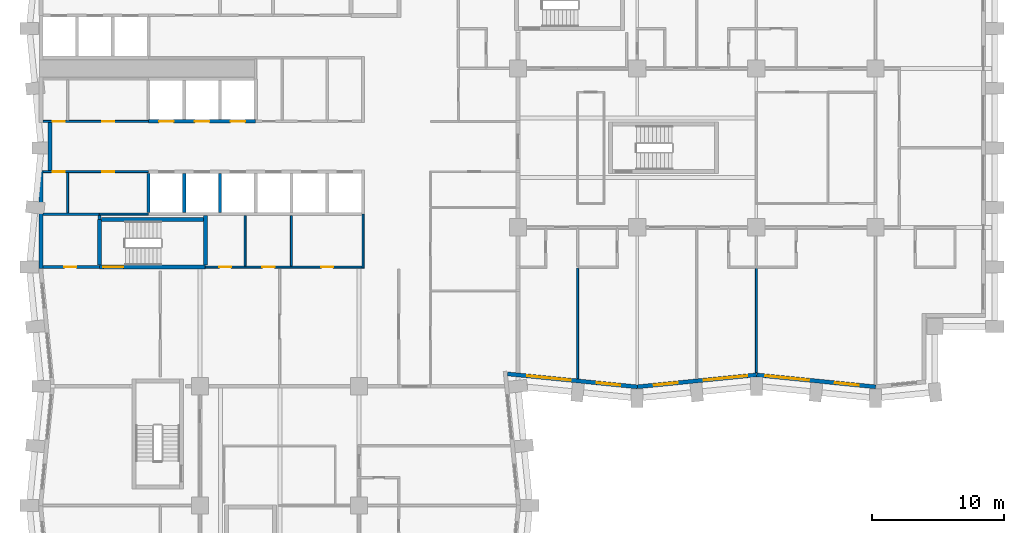
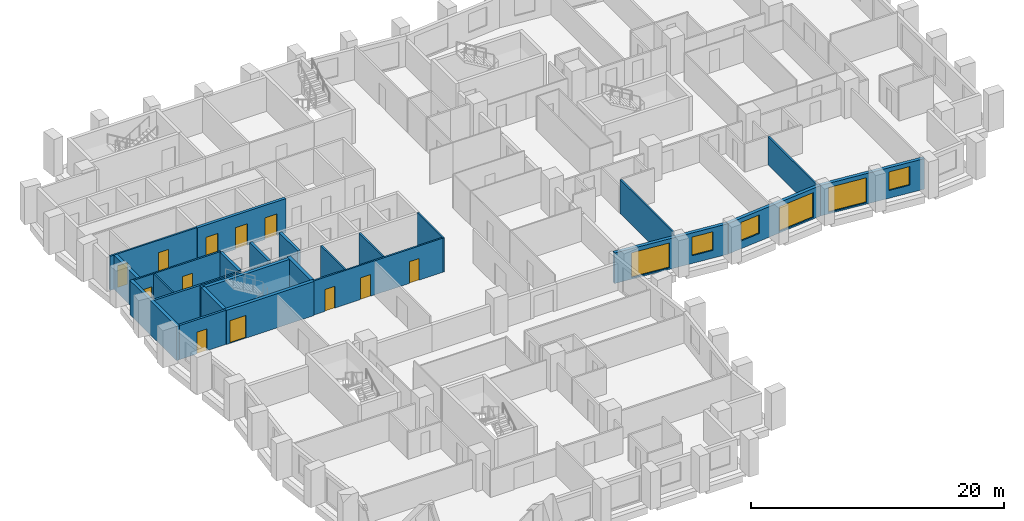
# One storey, part 5 of 12: 26 walls, 12 doors, 6 windows, 18 openings.
"""IFC4 building model written with IfcOpenShell, lengths in metres."""

from ifc_helpers import new_model, si_unit, direction, frame, frame_2d, origin, place, context, subcontext, project, spatial, rectangle, extrude, material, layer, layer_set, type_object, element, fill, save


model = new_model("IFC4")

# Units and contexts
model_context = context("Model", 3, precision=1e-05, world=origin(), true_north=direction((0.0, 1.0)))
body_context = subcontext(model_context, "Body", "Model", "MODEL_VIEW")
ifc_project = project(units=[si_unit("LENGTHUNIT", "METRE"), si_unit("AREAUNIT", "SQUARE_METRE"), si_unit("VOLUMEUNIT", "CUBIC_METRE"), si_unit("PLANEANGLEUNIT", "RADIAN"), si_unit("MASSUNIT", "GRAM", prefix="KILO")], contexts=[model_context])

# Site, building, storey
site_placement = place(None, origin())
site = spatial("IfcSite", under=ifc_project, at=site_placement, CompositionType="ELEMENT")
building_placement = place(site_placement, origin())
building = spatial("IfcBuilding", under=site, at=building_placement, Name="Brondeck Convention Tower", CompositionType="ELEMENT")
storey_placement = place(building_placement, frame((0.0, 0.0, 55.5)))
storey = spatial("IfcBuildingStorey", under=building, at=storey_placement, Name="L11", CompositionType="ELEMENT", Elevation=55.5)

# Wall, openings, doors
ifc_material_1 = material(Name="Concrete C80/95", Category="concrete")
ifc_layer_1 = layer(ifc_material_1, 0.14990234375)
ifc_layer_set_1 = layer_set([ifc_layer_1], Name="Core beam-seat wall 150 Concrete C80/95")
wall_type_1 = type_object("IfcWallType", Name="Core beam-seat wall 150 Concrete C80/95", PredefinedType="SHEAR", material=ifc_layer_set_1)
wall_1_placement = place(storey_placement, frame((12.39990234375, 36.0, 0.0), z_axis=(0.0, 0.0, 1.0), x_axis=(1.0, 0.0, 0.0)))
wall_1 = element("IfcWall", 1, at=wall_1_placement, inside=storey, type_object=wall_type_1, Name="L11 core wall", PredefinedType="SHEAR", context=body_context, shape_type="SweptSolid", body=[
    extrude(rectangle(XDim=11.8251953125, YDim=0.14990234375, at=frame_2d((5.91259765625, 0.0))), origin(), (0.0, 0.0, 1.0), 3.300048828125),
])
opening_1_placement = place(wall_1_placement, frame((1.050048828125, 0.0, 0.0)))
opening_1 = element("IfcOpeningElement", 2, at=opening_1_placement, cuts=wall_1, Name="Opening C09-03", PredefinedType="OPENING", context=body_context, shape_type="SweptSolid", body=[
    extrude(rectangle(XDim=0.89990234375, YDim=2.10009765625, at=frame_2d((0.449951171875, 1.050048828125))), frame((0.0, 0.0849609375, 0.0), z_axis=(0.0, -1.0, 0.0), x_axis=(1.0, 0.0, 0.0)), (0.0, 0.0, 1.0), 0.169921875),
])
opening_2_placement = place(wall_1_placement, frame((4.27490234375, 0.0, 0.0)))
opening_2 = element("IfcOpeningElement", 3, at=opening_2_placement, cuts=wall_1, Name="Opening C09-04", PredefinedType="OPENING", context=body_context, shape_type="SweptSolid", body=[
    extrude(rectangle(XDim=0.949951171875, YDim=2.10009765625, at=frame_2d((0.47509765625, 1.050048828125))), frame((0.0, 0.0849609375, 0.0), z_axis=(0.0, -1.0, 0.0), x_axis=(1.0, 0.0, 0.0)), (0.0, 0.0, 1.0), 0.169921875),
])
opening_3_placement = place(wall_1_placement, frame((8.75, 0.0, 0.0)))
opening_3 = element("IfcOpeningElement", 4, at=opening_3_placement, cuts=wall_1, Name="Opening C09-05", PredefinedType="OPENING", context=body_context, shape_type="SweptSolid", body=[
    extrude(rectangle(XDim=0.89990234375, YDim=2.10009765625, at=frame_2d((0.449951171875, 1.050048828125))), frame((0.0, 0.0849609375, 0.0), z_axis=(0.0, -1.0, 0.0), x_axis=(1.0, 0.0, 0.0)), (0.0, 0.0, 1.0), 0.169921875),
])
ifc_material_2 = material(Name="Steel fire door", Category="steel")
door_type_1 = type_object("IfcDoorType", Name="Room door 900x2100 EI 60", OperationType="NOTDEFINED", PredefinedType="DOOR", material=ifc_material_2)
door_1_placement = place(opening_1_placement, origin())
door_1 = element("IfcDoor", 5, at=door_1_placement, inside=storey, type_object=door_type_1, Name="L11 Room door FR-1", OperationType="SINGLE_SWING_RIGHT", OverallHeight=2.10009765625, OverallWidth=0.89990234375, PredefinedType="DOOR", context=body_context, shape_type="SweptSolid", body=[
    extrude(rectangle(XDim=0.89990234375, YDim=2.10009765625, at=frame_2d((0.449951171875, 1.050048828125))), frame((0.0, 0.02490234375, 0.0), z_axis=(0.0, -1.0, 0.0), x_axis=(1.0, 0.0, 0.0)), (0.0, 0.0, 1.0), 0.050048828125),
])
fill(opening_1, door_1)
door_2_placement = place(opening_3_placement, origin())
door_2 = element("IfcDoor", 6, at=door_2_placement, inside=storey, type_object=door_type_1, Name="L11 Room door FR-3", OperationType="SINGLE_SWING_RIGHT", OverallHeight=2.10009765625, OverallWidth=0.89990234375, PredefinedType="DOOR", context=body_context, shape_type="SweptSolid", body=[
    extrude(rectangle(XDim=0.89990234375, YDim=2.10009765625, at=frame_2d((0.449951171875, 1.050048828125))), frame((0.0, 0.02490234375, 0.0), z_axis=(0.0, -1.0, 0.0), x_axis=(1.0, 0.0, 0.0)), (0.0, 0.0, 1.0), 0.050048828125),
])
fill(opening_3, door_2)
door_type_2 = type_object("IfcDoorType", Name="Room door 950x2100 EI 60", OperationType="NOTDEFINED", PredefinedType="DOOR", material=ifc_material_2)
door_3_placement = place(opening_2_placement, origin())
door_3 = element("IfcDoor", 7, at=door_3_placement, inside=storey, type_object=door_type_2, Name="L11 Room door FR-2", OperationType="SINGLE_SWING_LEFT", OverallHeight=2.10009765625, OverallWidth=0.949951171875, PredefinedType="DOOR", context=body_context, shape_type="SweptSolid", body=[
    extrude(rectangle(XDim=0.949951171875, YDim=2.10009765625, at=frame_2d((0.47509765625, 1.050048828125))), frame((0.0, 0.02490234375, 0.0), z_axis=(0.0, -1.0, 0.0), x_axis=(1.0, 0.0, 0.0)), (0.0, 0.0, 1.0), 0.050048828125),
])
fill(opening_2, door_3)

# Walls
wall_2_placement = place(storey_placement, frame((24.300048828125, 35.925048828125, 0.0), z_axis=(0.0, 0.0, 1.0), x_axis=(0.0, 1.0, 0.0)))
element("IfcWall", 8, at=wall_2_placement, inside=storey, type_object=wall_type_1, Name="L11 core wall", PredefinedType="SHEAR", context=body_context, shape_type="SweptSolid", body=[
    extrude(rectangle(XDim=4.074951171875, YDim=0.14990234375, at=frame_2d((2.03759765625, 0.0))), origin(), (0.0, 0.0, 1.0), 3.300048828125),
])
ifc_layer_2 = layer(ifc_material_1, 0.300048828125)
ifc_layer_set_2 = layer_set([ifc_layer_2], Name="Core outer wall 300 Concrete C80/95")
wall_type_2 = type_object("IfcWallType", Name="Core outer wall 300 Concrete C80/95", PredefinedType="SHEAR", material=ifc_layer_set_2)
wall_3_placement = place(storey_placement, frame((0.0, 35.89990234375, 0.0), z_axis=(0.0, 0.0, 1.0), x_axis=(0.0, 1.0, 0.0)))
element("IfcWall", 9, at=wall_3_placement, inside=storey, type_object=wall_type_2, Name="L11 core wall", PredefinedType="SHEAR", context=body_context, shape_type="SweptSolid", body=[
    extrude(rectangle(XDim=7.375, YDim=0.300048828125, at=frame_2d((3.6875, 0.0))), origin(), (0.0, 0.0, 1.0), 3.300048828125),
])
wall_4_placement = place(storey_placement, frame((0.64990234375, 43.27490234375, 0.0), z_axis=(0.0, 0.0, 1.0), x_axis=(0.0, 1.0, 0.0)))
element("IfcWall", 10, at=wall_4_placement, inside=storey, type_object=wall_type_2, Name="L11 core wall", PredefinedType="SHEAR", context=body_context, shape_type="SweptSolid", body=[
    extrude(rectangle(XDim=3.650146484375, YDim=0.300048828125, at=frame_2d((1.8251953125, 0.0))), origin(), (0.0, 0.0, 1.0), 3.300048828125),
])
ifc_material_3 = material(Name="Fire-rated gypsum board partition")
ifc_layer_3 = layer(ifc_material_3, 0.14990234375)
ifc_layer_set_3 = layer_set([ifc_layer_3], Name="Core partition 150 EI 60")
wall_type_3 = type_object("IfcWallType", Name="Core partition 150 EI 60", PredefinedType="PARTITIONING", material=ifc_layer_set_3)
wall_5_placement = place(storey_placement, frame((4.39990234375, 40.0, 0.0), z_axis=(0.0, 0.0, 1.0), x_axis=(1.0, 0.0, 0.0)))
element("IfcWall", 11, at=wall_5_placement, inside=storey, type_object=wall_type_3, Name="L11 core wall", PredefinedType="PARTITIONING", context=body_context, shape_type="SweptSolid", body=[
    extrude(rectangle(XDim=3.7001953125, YDim=0.14990234375, at=frame_2d((1.85009765625, 0.0))), origin(), (0.0, 0.0, 1.0), 3.300048828125),
])

# Wall, openings, doors
wall_6_placement = place(storey_placement, frame((0.14990234375, 43.199951171875, 0.0), z_axis=(0.0, 0.0, 1.0), x_axis=(1.0, 0.0, 0.0)))
wall_6 = element("IfcWall", 12, at=wall_6_placement, inside=storey, type_object=wall_type_3, Name="L11 core wall", PredefinedType="PARTITIONING", context=body_context, shape_type="SweptSolid", body=[
    extrude(rectangle(XDim=7.9501953125, YDim=0.14990234375, at=frame_2d((3.97509765625, 0.0))), origin(), (0.0, 0.0, 1.0), 3.300048828125),
])
opening_4_placement = place(wall_6_placement, frame((0.72509765625, 0.0, 0.0)))
opening_4 = element("IfcOpeningElement", 13, at=opening_4_placement, cuts=wall_6, Name="Opening C09-11", PredefinedType="OPENING", context=body_context, shape_type="SweptSolid", body=[
    extrude(rectangle(XDim=0.89990234375, YDim=2.10009765625, at=frame_2d((0.449951171875, 1.050048828125))), frame((0.0, 0.0849609375, 0.0), z_axis=(0.0, -1.0, 0.0), x_axis=(1.0, 0.0, 0.0)), (0.0, 0.0, 1.0), 0.169921875),
])
opening_5_placement = place(wall_6_placement, frame((4.449951171875, 0.0, 0.0)))
opening_5 = element("IfcOpeningElement", 14, at=opening_5_placement, cuts=wall_6, Name="Opening C09-12", PredefinedType="OPENING", context=body_context, shape_type="SweptSolid", body=[
    extrude(rectangle(XDim=0.89990234375, YDim=2.10009765625, at=frame_2d((0.449951171875, 1.050048828125))), frame((0.0, 0.0849609375, 0.0), z_axis=(0.0, -1.0, 0.0), x_axis=(1.0, 0.0, 0.0)), (0.0, 0.0, 1.0), 0.169921875),
])
door_4_placement = place(opening_4_placement, origin())
door_4 = element("IfcDoor", 15, at=door_4_placement, inside=storey, type_object=door_type_1, Name="L11 Room door FZ-S-0-1", OperationType="SINGLE_SWING_LEFT", OverallHeight=2.10009765625, OverallWidth=0.89990234375, PredefinedType="DOOR", context=body_context, shape_type="SweptSolid", body=[
    extrude(rectangle(XDim=0.89990234375, YDim=2.10009765625, at=frame_2d((0.449951171875, 1.050048828125))), frame((0.0, 0.02490234375, 0.0), z_axis=(0.0, -1.0, 0.0), x_axis=(1.0, 0.0, 0.0)), (0.0, 0.0, 1.0), 0.050048828125),
])
fill(opening_4, door_4)
door_5_placement = place(opening_5_placement, origin())
door_5 = element("IfcDoor", 16, at=door_5_placement, inside=storey, type_object=door_type_1, Name="L11 Room door FZ-S-0-2", OperationType="SINGLE_SWING_RIGHT", OverallHeight=2.10009765625, OverallWidth=0.89990234375, PredefinedType="DOOR", context=body_context, shape_type="SweptSolid", body=[
    extrude(rectangle(XDim=0.89990234375, YDim=2.10009765625, at=frame_2d((0.449951171875, 1.050048828125))), frame((0.0, 0.02490234375, 0.0), z_axis=(0.0, -1.0, 0.0), x_axis=(1.0, 0.0, 0.0)), (0.0, 0.0, 1.0), 0.050048828125),
])
fill(opening_5, door_5)

wall_7_placement = place(storey_placement, frame((0.14990234375, 47.0, 0.0), z_axis=(0.0, 0.0, 1.0), x_axis=(1.0, 0.0, 0.0)))
wall_7 = element("IfcWall", 17, at=wall_7_placement, inside=storey, type_object=wall_type_3, Name="L11 core wall", PredefinedType="PARTITIONING", context=body_context, shape_type="SweptSolid", body=[
    extrude(rectangle(XDim=7.9501953125, YDim=0.14990234375, at=frame_2d((3.97509765625, 0.0))), origin(), (0.0, 0.0, 1.0), 3.300048828125),
])
opening_6_placement = place(wall_7_placement, frame((0.72509765625, 0.0, 0.0)))
opening_6 = element("IfcOpeningElement", 18, at=opening_6_placement, cuts=wall_7, Name="Opening C09-07", PredefinedType="OPENING", context=body_context, shape_type="SweptSolid", body=[
    extrude(rectangle(XDim=0.89990234375, YDim=2.10009765625, at=frame_2d((0.449951171875, 1.050048828125))), frame((0.0, 0.0849609375, 0.0), z_axis=(0.0, -1.0, 0.0), x_axis=(1.0, 0.0, 0.0)), (0.0, 0.0, 1.0), 0.169921875),
])
opening_7_placement = place(wall_7_placement, frame((4.449951171875, 0.0, 0.0)))
opening_7 = element("IfcOpeningElement", 19, at=opening_7_placement, cuts=wall_7, Name="Opening C09-08", PredefinedType="OPENING", context=body_context, shape_type="SweptSolid", body=[
    extrude(rectangle(XDim=0.89990234375, YDim=2.10009765625, at=frame_2d((0.449951171875, 1.050048828125))), frame((0.0, 0.0849609375, 0.0), z_axis=(0.0, -1.0, 0.0), x_axis=(1.0, 0.0, 0.0)), (0.0, 0.0, 1.0), 0.169921875),
])
door_6_placement = place(opening_6_placement, origin())
door_6 = element("IfcDoor", 20, at=door_6_placement, inside=storey, type_object=door_type_1, Name="L11 Room door FZ-N-0-1", OperationType="SINGLE_SWING_RIGHT", OverallHeight=2.10009765625, OverallWidth=0.89990234375, PredefinedType="DOOR", context=body_context, shape_type="SweptSolid", body=[
    extrude(rectangle(XDim=0.89990234375, YDim=2.10009765625, at=frame_2d((0.449951171875, 1.050048828125))), frame((0.0, 0.02490234375, 0.0), z_axis=(0.0, -1.0, 0.0), x_axis=(1.0, 0.0, 0.0)), (0.0, 0.0, 1.0), 0.050048828125),
])
fill(opening_6, door_6)
door_7_placement = place(opening_7_placement, origin())
door_7 = element("IfcDoor", 21, at=door_7_placement, inside=storey, type_object=door_type_1, Name="L11 Room door FZ-N-0-2", OperationType="SINGLE_SWING_LEFT", OverallHeight=2.10009765625, OverallWidth=0.89990234375, PredefinedType="DOOR", context=body_context, shape_type="SweptSolid", body=[
    extrude(rectangle(XDim=0.89990234375, YDim=2.10009765625, at=frame_2d((0.449951171875, 1.050048828125))), frame((0.0, 0.02490234375, 0.0), z_axis=(0.0, -1.0, 0.0), x_axis=(1.0, 0.0, 0.0)), (0.0, 0.0, 1.0), 0.050048828125),
])
fill(opening_7, door_7)

# Walls
wall_8_placement = place(storey_placement, frame((2.0, 40.10009765625, 0.0), z_axis=(0.0, 0.0, 1.0), x_axis=(0.0, 1.0, 0.0)))
element("IfcWall", 22, at=wall_8_placement, inside=storey, type_object=wall_type_3, Name="L11 core wall", PredefinedType="PARTITIONING", context=body_context, shape_type="SweptSolid", body=[
    extrude(rectangle(XDim=3.02490234375, YDim=0.14990234375, at=frame_2d((1.512451171875, 0.0))), origin(), (0.0, 0.0, 1.0), 3.300048828125),
])
for number, where, z_axis, x_axis, name in (
    (23, (15.39990234375, 36.074951171875, 0.0), (0.0, 0.0, 1.0), (0.0, 1.0, 0.0), "L11 core wall"),
    (24, (18.89990234375, 36.074951171875, 0.0), (0.0, 0.0, 1.0), (0.0, 1.0, 0.0), "L11 core wall"),
):
    element("IfcWall", number, at=place(storey_placement, frame(where, z_axis=z_axis, x_axis=x_axis)), inside=storey, type_object=wall_type_3, Name=name, PredefinedType="PARTITIONING", context=body_context, shape_type="SweptSolid", body=[
        extrude(rectangle(XDim=3.800048828125, YDim=0.14990234375, at=frame_2d((1.89990234375, 0.0))), origin(), (0.0, 0.0, 1.0), 3.300048828125),
    ])

# Wall, openings, windows
ifc_material_4 = material(Name="Precast concrete C50/60 bronze finish", Category="concrete")
ifc_layer_4 = layer(ifc_material_4, 0.070068359375, Name="Bronze precast facing")
ifc_material_5 = material(Name="Mineral wool")
ifc_layer_5 = layer(ifc_material_5, 0.159912109375, Name="Insulation")
ifc_material_6 = material(Name="Concrete C35/45", Category="concrete")
ifc_layer_6 = layer(ifc_material_6, 0.070068359375, Name="Backing")
ifc_layer_set_4 = layer_set([ifc_layer_4, ifc_layer_5, ifc_layer_6], Name="External infill wall, precast concrete C50/60 bronze facing")
wall_type_4 = type_object("IfcWallType", Name="External infill wall, precast concrete C50/60 bronze facing", PredefinedType="SOLIDWALL", material=ifc_layer_set_4)
wall_9_placement = place(storey_placement, frame((45.014892578125, 26.95263671875, 0.0), z_axis=(0.0, 0.0, 1.0), x_axis=(-0.995036699177, 0.099508629231, 0.0)))
wall_9 = element("IfcWall", 25, at=wall_9_placement, inside=storey, type_object=wall_type_4, Name="ENV-EW-L11-P0-A-S-00", PredefinedType="SOLIDWALL", context=body_context, shape_type="SweptSolid", body=[
    extrude(rectangle(XDim=9.845703125, YDim=0.300048828125, at=frame_2d((4.9228515625, 0.0))), origin(), (0.0, 0.0, 1.0), 2.949951171875),
])
opening_8_placement = place(wall_9_placement, frame((1.291259765625, 0.0, 0.75)))
opening_8 = element("IfcOpeningElement", 26, at=opening_8_placement, cuts=wall_9, Name="Opening W10", PredefinedType="OPENING", context=body_context, shape_type="SweptSolid", body=[
    extrude(rectangle(XDim=1.800048828125, YDim=1.800048828125, at=frame_2d((0.89990234375, 0.89990234375))), frame((0.0, 0.159912109375, 0.0), z_axis=(0.0, -1.0, 0.0), x_axis=(1.0, 0.0, 0.0)), (0.0, 0.0, 1.0), 0.320068359375),
])
opening_9_placement = place(wall_9_placement, frame((5.063720703125, 0.0, 0.14990234375)))
opening_9 = element("IfcOpeningElement", 27, at=opening_9_placement, cuts=wall_9, Name="Opening W9", PredefinedType="OPENING", context=body_context, shape_type="SweptSolid", body=[
    extrude(rectangle(XDim=3.300048828125, YDim=2.39990234375, at=frame_2d((1.64990234375, 1.199951171875))), frame((0.0, 0.159912109375, 0.0), z_axis=(0.0, -1.0, 0.0), x_axis=(1.0, 0.0, 0.0)), (0.0, 0.0, 1.0), 0.320068359375),
])
ifc_material_7 = material(Name="Bronze tinted double glazing", Category="glass")
window_type_1 = type_object("IfcWindowType", Name="Glazed flute window, bronze tinted", PartitioningType="SINGLE_PANEL", PredefinedType="WINDOW", material=ifc_material_7)
window_1_placement = place(opening_9_placement, origin())
window_1 = element("IfcWindow", 28, at=window_1_placement, inside=storey, type_object=window_type_1, Name="ENV-WN-L11-P0-A-S-00", OverallHeight=2.39990234375, OverallWidth=3.300048828125, PartitioningType="SINGLE_PANEL", PredefinedType="WINDOW", context=body_context, shape_type="SweptSolid", body=[
    extrude(rectangle(XDim=3.300048828125, YDim=2.39990234375, at=frame_2d((1.64990234375, 1.199951171875))), frame((0.0, 0.030029296875, 0.0), z_axis=(0.0, -1.0, 0.0), x_axis=(1.0, 0.0, 0.0)), (0.0, 0.0, 1.0), 0.06005859375),
])
fill(opening_9, window_1)
window_type_2 = type_object("IfcWindowType", Name="Punched window, bronze tinted", PartitioningType="SINGLE_PANEL", PredefinedType="WINDOW", material=ifc_material_7)
window_2_placement = place(opening_8_placement, origin())
window_2 = element("IfcWindow", 29, at=window_2_placement, inside=storey, type_object=window_type_2, Name="ENV-WN-L11-P0-A-S-01", OverallHeight=1.800048828125, OverallWidth=1.800048828125, PartitioningType="SINGLE_PANEL", PredefinedType="WINDOW", context=body_context, shape_type="SweptSolid", body=[
    extrude(rectangle(XDim=1.800048828125, YDim=1.800048828125, at=frame_2d((0.89990234375, 0.89990234375))), frame((0.0, 0.030029296875, 0.0), z_axis=(0.0, -1.0, 0.0), x_axis=(1.0, 0.0, 0.0)), (0.0, 0.0, 1.0), 0.06005859375),
])
fill(opening_8, window_2)

wall_10_placement = place(storey_placement, frame((54.014892578125, 27.855712890625, 0.0), z_axis=(0.0, 0.0, 1.0), x_axis=(-0.995037993253, -0.099495688264, 0.0)))
wall_10 = element("IfcWall", 30, at=wall_10_placement, inside=storey, type_object=wall_type_4, Name="ENV-EW-L11-P0-A-S-02", PredefinedType="SOLIDWALL", context=body_context, shape_type="SweptSolid", body=[
    extrude(rectangle(XDim=9.030029296875, YDim=0.300048828125, at=frame_2d((4.51513671875, 0.0))), origin(), (0.0, 0.0, 1.0), 2.949951171875),
])
opening_10_placement = place(wall_10_placement, frame((0.711181640625, 0.0, 0.14990234375)))
opening_10 = element("IfcOpeningElement", 31, at=opening_10_placement, cuts=wall_10, Name="Opening W9", PredefinedType="OPENING", context=body_context, shape_type="SweptSolid", body=[
    extrude(rectangle(XDim=3.300048828125, YDim=2.39990234375, at=frame_2d((1.64990234375, 1.199951171875))), frame((0.0, 0.159912109375, 0.0), z_axis=(0.0, -1.0, 0.0), x_axis=(1.0, 0.0, 0.0)), (0.0, 0.0, 1.0), 0.320068359375),
])
opening_11_placement = place(wall_10_placement, frame((5.983642578125, 0.0, 0.75)))
opening_11 = element("IfcOpeningElement", 32, at=opening_11_placement, cuts=wall_10, Name="Opening W10", PredefinedType="OPENING", context=body_context, shape_type="SweptSolid", body=[
    extrude(rectangle(XDim=1.800048828125, YDim=1.800048828125, at=frame_2d((0.89990234375, 0.89990234375))), frame((0.0, 0.159912109375, 0.0), z_axis=(0.0, -1.0, 0.0), x_axis=(1.0, 0.0, 0.0)), (0.0, 0.0, 1.0), 0.320068359375),
])
window_3_placement = place(opening_10_placement, origin())
window_3 = element("IfcWindow", 33, at=window_3_placement, inside=storey, type_object=window_type_1, Name="ENV-WN-L11-P0-A-S-03", OverallHeight=2.39990234375, OverallWidth=3.300048828125, PartitioningType="SINGLE_PANEL", PredefinedType="WINDOW", context=body_context, shape_type="SweptSolid", body=[
    extrude(rectangle(XDim=3.300048828125, YDim=2.39990234375, at=frame_2d((1.64990234375, 1.199951171875))), frame((0.0, 0.030029296875, 0.0), z_axis=(0.0, -1.0, 0.0), x_axis=(1.0, 0.0, 0.0)), (0.0, 0.0, 1.0), 0.06005859375),
])
fill(opening_10, window_3)
window_4_placement = place(opening_11_placement, origin())
window_4 = element("IfcWindow", 34, at=window_4_placement, inside=storey, type_object=window_type_2, Name="ENV-WN-L11-P0-A-S-02", OverallHeight=1.800048828125, OverallWidth=1.800048828125, PartitioningType="SINGLE_PANEL", PredefinedType="WINDOW", context=body_context, shape_type="SweptSolid", body=[
    extrude(rectangle(XDim=1.800048828125, YDim=1.800048828125, at=frame_2d((0.89990234375, 0.89990234375))), frame((0.0, 0.030029296875, 0.0), z_axis=(0.0, -1.0, 0.0), x_axis=(1.0, 0.0, 0.0)), (0.0, 0.0, 1.0), 0.06005859375),
])
fill(opening_11, window_4)

wall_11_placement = place(storey_placement, frame((63.014892578125, 26.95263671875, 0.0), z_axis=(0.0, 0.0, 1.0), x_axis=(-0.995035316196, 0.099522457379, 0.0)))
wall_11 = element("IfcWall", 35, at=wall_11_placement, inside=storey, type_object=wall_type_4, Name="ENV-EW-L11-P0-A-S-04", PredefinedType="SOLIDWALL", context=body_context, shape_type="SweptSolid", body=[
    extrude(rectangle(XDim=9.030029296875, YDim=0.300048828125, at=frame_2d((4.51513671875, 0.0))), origin(), (0.0, 0.0, 1.0), 2.949951171875),
])
opening_12_placement = place(wall_11_placement, frame((1.291259765625, 0.0, 0.75)))
opening_12 = element("IfcOpeningElement", 36, at=opening_12_placement, cuts=wall_11, Name="Opening W10", PredefinedType="OPENING", context=body_context, shape_type="SweptSolid", body=[
    extrude(rectangle(XDim=1.800048828125, YDim=1.800048828125, at=frame_2d((0.89990234375, 0.89990234375))), frame((0.0, 0.159912109375, 0.0), z_axis=(0.0, -1.0, 0.0), x_axis=(1.0, 0.0, 0.0)), (0.0, 0.0, 1.0), 0.320068359375),
])
opening_13_placement = place(wall_11_placement, frame((5.063720703125, 0.0, 0.14990234375)))
opening_13 = element("IfcOpeningElement", 37, at=opening_13_placement, cuts=wall_11, Name="Opening W9", PredefinedType="OPENING", context=body_context, shape_type="SweptSolid", body=[
    extrude(rectangle(XDim=3.300048828125, YDim=2.39990234375, at=frame_2d((1.64990234375, 1.199951171875))), frame((0.0, 0.159912109375, 0.0), z_axis=(0.0, -1.0, 0.0), x_axis=(1.0, 0.0, 0.0)), (0.0, 0.0, 1.0), 0.320068359375),
])
window_5_placement = place(opening_13_placement, origin())
window_5 = element("IfcWindow", 38, at=window_5_placement, inside=storey, type_object=window_type_1, Name="ENV-WN-L11-P0-A-S-04", OverallHeight=2.39990234375, OverallWidth=3.300048828125, PartitioningType="SINGLE_PANEL", PredefinedType="WINDOW", context=body_context, shape_type="SweptSolid", body=[
    extrude(rectangle(XDim=3.300048828125, YDim=2.39990234375, at=frame_2d((1.64990234375, 1.199951171875))), frame((0.0, 0.030029296875, 0.0), z_axis=(0.0, -1.0, 0.0), x_axis=(1.0, 0.0, 0.0)), (0.0, 0.0, 1.0), 0.06005859375),
])
fill(opening_13, window_5)
window_6_placement = place(opening_12_placement, origin())
window_6 = element("IfcWindow", 39, at=window_6_placement, inside=storey, type_object=window_type_2, Name="ENV-WN-L11-P0-A-S-05", OverallHeight=1.800048828125, OverallWidth=1.800048828125, PartitioningType="SINGLE_PANEL", PredefinedType="WINDOW", context=body_context, shape_type="SweptSolid", body=[
    extrude(rectangle(XDim=1.800048828125, YDim=1.800048828125, at=frame_2d((0.89990234375, 0.89990234375))), frame((0.0, 0.030029296875, 0.0), z_axis=(0.0, -1.0, 0.0), x_axis=(1.0, 0.0, 0.0)), (0.0, 0.0, 1.0), 0.06005859375),
])
fill(opening_12, window_6)

# Walls
ifc_material_8 = material(Name="Double gypsum board acoustic wall")
ifc_layer_7 = layer(ifc_material_8, 0.14990234375)
ifc_layer_set_5 = layer_set([ifc_layer_7], Name="Guest room party wall 150")
wall_type_5 = type_object("IfcWallType", Name="Guest room party wall 150", PredefinedType="PARTITIONING", material=ifc_layer_set_5)
wall_12_placement = place(storey_placement, frame((40.5, 35.925048828125, 0.0), z_axis=(0.0, 0.0, 1.0), x_axis=(0.0, -1.0, 0.0)))
element("IfcWall", 40, at=wall_12_placement, inside=storey, type_object=wall_type_5, Name="FLR-L11-W049", PredefinedType="PARTITIONING", context=body_context, shape_type="SweptSolid", body=[
    extrude(rectangle(XDim=8.35009765625, YDim=0.14990234375, at=frame_2d((4.175048828125, 0.0))), origin(), (0.0, 0.0, 1.0), 3.280029296875),
])
wall_13_placement = place(storey_placement, frame((54.0, 35.925048828125, 0.0), z_axis=(0.0, 0.0, 1.0), x_axis=(0.0, -1.0, 0.0)))
element("IfcWall", 41, at=wall_13_placement, inside=storey, type_object=wall_type_5, Name="FLR-L11-W050", PredefinedType="PARTITIONING", context=body_context, shape_type="SweptSolid", body=[
    extrude(rectangle(XDim=7.900146484375, YDim=0.14990234375, at=frame_2d((3.9501953125, 0.0))), origin(), (0.0, 0.0, 1.0), 2.72998046875),
])

# Wall, openings, doors
ifc_layer_8 = layer(ifc_material_1, 0.25)
ifc_layer_set_6 = layer_set([ifc_layer_8], Name="Lift shaft wall 250 Concrete C80/95")
wall_type_6 = type_object("IfcWallType", Name="Lift shaft wall 250 Concrete C80/95", PredefinedType="SHEAR", material=ifc_layer_set_6)
wall_14_placement = place(storey_placement, frame((8.10009765625, 47.0, 0.0), z_axis=(0.0, 0.0, 1.0), x_axis=(1.0, 0.0, 0.0)))
wall_14 = element("IfcWall", 42, at=wall_14_placement, inside=storey, type_object=wall_type_6, Name="L11 core wall", PredefinedType="SHEAR", context=body_context, shape_type="SweptSolid", body=[
    extrude(rectangle(XDim=8.099853515625, YDim=0.25, at=frame_2d((4.0498046875, 0.0))), origin(), (0.0, 0.0, 1.0), 3.300048828125),
])
opening_14_placement = place(wall_14_placement, frame((0.800048828125, 0.0, 0.0)))
opening_14 = element("IfcOpeningElement", 43, at=opening_14_placement, cuts=wall_14, Name="Opening C09-29", PredefinedType="OPENING", context=body_context, shape_type="SweptSolid", body=[
    extrude(rectangle(XDim=1.10009765625, YDim=2.10009765625, at=frame_2d((0.550048828125, 1.050048828125))), frame((0.0, 0.135009765625, 0.0), z_axis=(0.0, -1.0, 0.0), x_axis=(1.0, 0.0, 0.0)), (0.0, 0.0, 1.0), 0.27001953125),
])
opening_15_placement = place(wall_14_placement, frame((3.5, 0.0, 0.0)))
opening_15 = element("IfcOpeningElement", 44, at=opening_15_placement, cuts=wall_14, Name="Opening C09-30", PredefinedType="OPENING", context=body_context, shape_type="SweptSolid", body=[
    extrude(rectangle(XDim=1.10009765625, YDim=2.10009765625, at=frame_2d((0.550048828125, 1.050048828125))), frame((0.0, 0.135009765625, 0.0), z_axis=(0.0, -1.0, 0.0), x_axis=(1.0, 0.0, 0.0)), (0.0, 0.0, 1.0), 0.27001953125),
])
opening_16_placement = place(wall_14_placement, frame((6.199951171875, 0.0, 0.0)))
opening_16 = element("IfcOpeningElement", 45, at=opening_16_placement, cuts=wall_14, Name="Opening C09-31", PredefinedType="OPENING", context=body_context, shape_type="SweptSolid", body=[
    extrude(rectangle(XDim=1.10009765625, YDim=2.10009765625, at=frame_2d((0.550048828125, 1.050048828125))), frame((0.0, 0.135009765625, 0.0), z_axis=(0.0, -1.0, 0.0), x_axis=(1.0, 0.0, 0.0)), (0.0, 0.0, 1.0), 0.27001953125),
])
ifc_material_9 = material(Name="Stainless steel lift door", Category="steel")
door_type_3 = type_object("IfcDoorType", Name="Lift landing door 1100x2100 EI 180", OperationType="DOUBLE_DOOR_SLIDING", PredefinedType="DOOR", material=ifc_material_9)
door_8_placement = place(opening_14_placement, origin())
door_8 = element("IfcDoor", 46, at=door_8_placement, inside=storey, type_object=door_type_3, Name="L11 Lift landing door LR4", OperationType="DOUBLE_DOOR_SLIDING", OverallHeight=2.10009765625, OverallWidth=1.10009765625, PredefinedType="DOOR", context=body_context, shape_type="SweptSolid", body=[
    extrude(rectangle(XDim=1.10009765625, YDim=2.10009765625, at=frame_2d((0.550048828125, 1.050048828125))), frame((0.0, 0.02490234375, 0.0), z_axis=(0.0, -1.0, 0.0), x_axis=(1.0, 0.0, 0.0)), (0.0, 0.0, 1.0), 0.050048828125),
])
fill(opening_14, door_8)
door_9_placement = place(opening_15_placement, origin())
door_9 = element("IfcDoor", 47, at=door_9_placement, inside=storey, type_object=door_type_3, Name="L11 Lift landing door LR5", OperationType="DOUBLE_DOOR_SLIDING", OverallHeight=2.10009765625, OverallWidth=1.10009765625, PredefinedType="DOOR", context=body_context, shape_type="SweptSolid", body=[
    extrude(rectangle(XDim=1.10009765625, YDim=2.10009765625, at=frame_2d((0.550048828125, 1.050048828125))), frame((0.0, 0.02490234375, 0.0), z_axis=(0.0, -1.0, 0.0), x_axis=(1.0, 0.0, 0.0)), (0.0, 0.0, 1.0), 0.050048828125),
])
fill(opening_15, door_9)
door_10_placement = place(opening_16_placement, origin())
door_10 = element("IfcDoor", 48, at=door_10_placement, inside=storey, type_object=door_type_3, Name="L11 Lift landing door LR6", OperationType="DOUBLE_DOOR_SLIDING", OverallHeight=2.10009765625, OverallWidth=1.10009765625, PredefinedType="DOOR", context=body_context, shape_type="SweptSolid", body=[
    extrude(rectangle(XDim=1.10009765625, YDim=2.10009765625, at=frame_2d((0.550048828125, 1.050048828125))), frame((0.0, 0.02490234375, 0.0), z_axis=(0.0, -1.0, 0.0), x_axis=(1.0, 0.0, 0.0)), (0.0, 0.0, 1.0), 0.050048828125),
])
fill(opening_16, door_10)

# Walls
for number, where, z_axis, x_axis, name in (
    (49, (8.10009765625, 40.125, 0.0), (0.0, 0.0, 1.0), (0.0, 1.0, 0.0), "L11 core wall"),
    (50, (10.800048828125, 40.125, 0.0), (0.0, 0.0, 1.0), (0.0, 1.0, 0.0), "L11 core wall"),
    (51, (13.5, 40.125, 0.0), (0.0, 0.0, 1.0), (0.0, 1.0, 0.0), "L11 core wall"),
):
    element("IfcWall", number, at=place(storey_placement, frame(where, z_axis=z_axis, x_axis=x_axis)), inside=storey, type_object=wall_type_6, Name=name, PredefinedType="SHEAR", context=body_context, shape_type="SweptSolid", body=[
        extrude(rectangle(XDim=2.949951171875, YDim=0.25, at=frame_2d((1.47509765625, 0.0))), origin(), (0.0, 0.0, 1.0), 3.300048828125),
    ])

# Wall, opening, door
ifc_layer_9 = layer(ifc_material_3, 0.199951171875)
ifc_layer_set_7 = layer_set([ifc_layer_9], Name="Riser wall 200 EI 120")
wall_type_7 = type_object("IfcWallType", Name="Riser wall 200 EI 120", PredefinedType="PARTITIONING", material=ifc_layer_set_7)
wall_15_placement = place(storey_placement, frame((0.14990234375, 36.0, 0.0), z_axis=(0.0, 0.0, 1.0), x_axis=(1.0, 0.0, 0.0)))
wall_15 = element("IfcWall", 52, at=wall_15_placement, inside=storey, type_object=wall_type_7, Name="L11 core wall", PredefinedType="PARTITIONING", context=body_context, shape_type="SweptSolid", body=[
    extrude(rectangle(XDim=4.25, YDim=0.199951171875, at=frame_2d((2.125, 0.0))), origin(), (0.0, 0.0, 1.0), 3.300048828125),
])
opening_17_placement = place(wall_15_placement, frame((1.60009765625, 0.0, 0.0)))
opening_17 = element("IfcOpeningElement", 53, at=opening_17_placement, cuts=wall_15, Name="Opening C09-06", PredefinedType="OPENING", context=body_context, shape_type="SweptSolid", body=[
    extrude(rectangle(XDim=0.89990234375, YDim=2.10009765625, at=frame_2d((0.449951171875, 1.050048828125))), frame((0.0, 0.10986328125, 0.0), z_axis=(0.0, -1.0, 0.0), x_axis=(1.0, 0.0, 0.0)), (0.0, 0.0, 1.0), 0.219970703125),
])
door_type_4 = type_object("IfcDoorType", Name="Riser door 900x2100 EI 120", OperationType="NOTDEFINED", PredefinedType="DOOR", material=ifc_material_2)
door_11_placement = place(opening_17_placement, origin())
door_11 = element("IfcDoor", 54, at=door_11_placement, inside=storey, type_object=door_type_4, Name="L11 Riser door FRW-1", OperationType="SINGLE_SWING_LEFT", OverallHeight=2.10009765625, OverallWidth=0.89990234375, PredefinedType="DOOR", context=body_context, shape_type="SweptSolid", body=[
    extrude(rectangle(XDim=0.89990234375, YDim=2.10009765625, at=frame_2d((0.449951171875, 1.050048828125))), frame((0.0, 0.02490234375, 0.0), z_axis=(0.0, -1.0, 0.0), x_axis=(1.0, 0.0, 0.0)), (0.0, 0.0, 1.0), 0.050048828125),
])
fill(opening_17, door_11)

# Walls
wall_16_placement = place(storey_placement, frame((0.14990234375, 40.0, 0.0), z_axis=(0.0, 0.0, 1.0), x_axis=(1.0, 0.0, 0.0)))
element("IfcWall", 55, at=wall_16_placement, inside=storey, type_object=wall_type_7, Name="L11 core wall", PredefinedType="PARTITIONING", context=body_context, shape_type="SweptSolid", body=[
    extrude(rectangle(XDim=4.25, YDim=0.199951171875, at=frame_2d((2.125, 0.0))), origin(), (0.0, 0.0, 1.0), 3.300048828125),
])
wall_17_placement = place(storey_placement, frame((4.39990234375, 39.60009765625, 0.0), z_axis=(0.0, 0.0, 1.0), x_axis=(0.0, 1.0, 0.0)))
element("IfcWall", 56, at=wall_17_placement, inside=storey, type_object=wall_type_7, Name="L11 core wall", PredefinedType="PARTITIONING", context=body_context, shape_type="SweptSolid", body=[
    extrude(rectangle(XDim=0.2998046875, YDim=0.199951171875, at=frame_2d((0.14990234375, 0.0))), origin(), (0.0, 0.0, 1.0), 3.300048828125),
])

# Wall, opening, door
ifc_layer_10 = layer(ifc_material_1, 0.300048828125)
ifc_layer_set_8 = layer_set([ifc_layer_10], Name="Stair enclosure wall 300 Concrete C80/95")
wall_type_8 = type_object("IfcWallType", Name="Stair enclosure wall 300 Concrete C80/95", PredefinedType="SHEAR", material=ifc_layer_set_8)
wall_18_placement = place(storey_placement, frame((4.39990234375, 36.0, 0.0), z_axis=(0.0, 0.0, 1.0), x_axis=(1.0, 0.0, 0.0)))
wall_18 = element("IfcWall", 57, at=wall_18_placement, inside=storey, type_object=wall_type_8, Name="L11 core wall", PredefinedType="SHEAR", context=body_context, shape_type="SweptSolid", body=[
    extrude(rectangle(XDim=8.0, YDim=0.300048828125, at=frame_2d((4.0, 0.0))), origin(), (0.0, 0.0, 1.0), 3.300048828125),
])
opening_18_placement = place(wall_18_placement, frame((0.300048828125, 0.0, 0.0)))
opening_18 = element("IfcOpeningElement", 58, at=opening_18_placement, cuts=wall_18, Name="Opening C09-15", PredefinedType="OPENING", context=body_context, shape_type="SweptSolid", body=[
    extrude(rectangle(XDim=1.5, YDim=2.199951171875, at=frame_2d((0.75, 1.10009765625))), frame((0.0, 0.159912109375, 0.0), z_axis=(0.0, -1.0, 0.0), x_axis=(1.0, 0.0, 0.0)), (0.0, 0.0, 1.0), 0.320068359375),
])
door_type_5 = type_object("IfcDoorType", Name="Stair door 1500x2200 EI 90", OperationType="NOTDEFINED", PredefinedType="DOOR", material=ifc_material_2)
door_12_placement = place(opening_18_placement, origin())
door_12 = element("IfcDoor", 59, at=door_12_placement, inside=storey, type_object=door_type_5, Name="L11 Stair door ST-1", OperationType="SINGLE_SWING_RIGHT", OverallHeight=2.199951171875, OverallWidth=1.5, PredefinedType="DOOR", context=body_context, shape_type="SweptSolid", body=[
    extrude(rectangle(XDim=1.5, YDim=2.199951171875, at=frame_2d((0.75, 1.10009765625))), frame((0.0, 0.02490234375, 0.0), z_axis=(0.0, -1.0, 0.0), x_axis=(1.0, 0.0, 0.0)), (0.0, 0.0, 1.0), 0.050048828125),
])
fill(opening_18, door_12)

# Walls
wall_19_placement = place(storey_placement, frame((4.550048828125, 39.60009765625, 0.0), z_axis=(0.0, 0.0, 1.0), x_axis=(1.0, 0.0, 0.0)))
element("IfcWall", 60, at=wall_19_placement, inside=storey, type_object=wall_type_8, Name="L11 core wall", PredefinedType="SHEAR", context=body_context, shape_type="SweptSolid", body=[
    extrude(rectangle(XDim=7.699951171875, YDim=0.300048828125, at=frame_2d((3.85009765625, 0.0))), origin(), (0.0, 0.0, 1.0), 3.300048828125),
])
wall_20_placement = place(storey_placement, frame((4.39990234375, 36.14990234375, 0.0), z_axis=(0.0, 0.0, 1.0), x_axis=(0.0, 1.0, 0.0)))
element("IfcWall", 61, at=wall_20_placement, inside=storey, type_object=wall_type_8, Name="L11 core wall", PredefinedType="SHEAR", context=body_context, shape_type="SweptSolid", body=[
    extrude(rectangle(XDim=3.4501953125, YDim=0.300048828125, at=frame_2d((1.72509765625, 0.0))), origin(), (0.0, 0.0, 1.0), 3.300048828125),
])
wall_21_placement = place(storey_placement, frame((12.39990234375, 36.14990234375, 0.0), z_axis=(0.0, 0.0, 1.0), x_axis=(0.0, 1.0, 0.0)))
element("IfcWall", 62, at=wall_21_placement, inside=storey, type_object=wall_type_8, Name="L11 core wall", PredefinedType="SHEAR", context=body_context, shape_type="SweptSolid", body=[
    extrude(rectangle(XDim=3.72509765625, YDim=0.300048828125, at=frame_2d((1.862548828125, 0.0))), origin(), (0.0, 0.0, 1.0), 3.300048828125),
])

save(model, "model.ifc")
